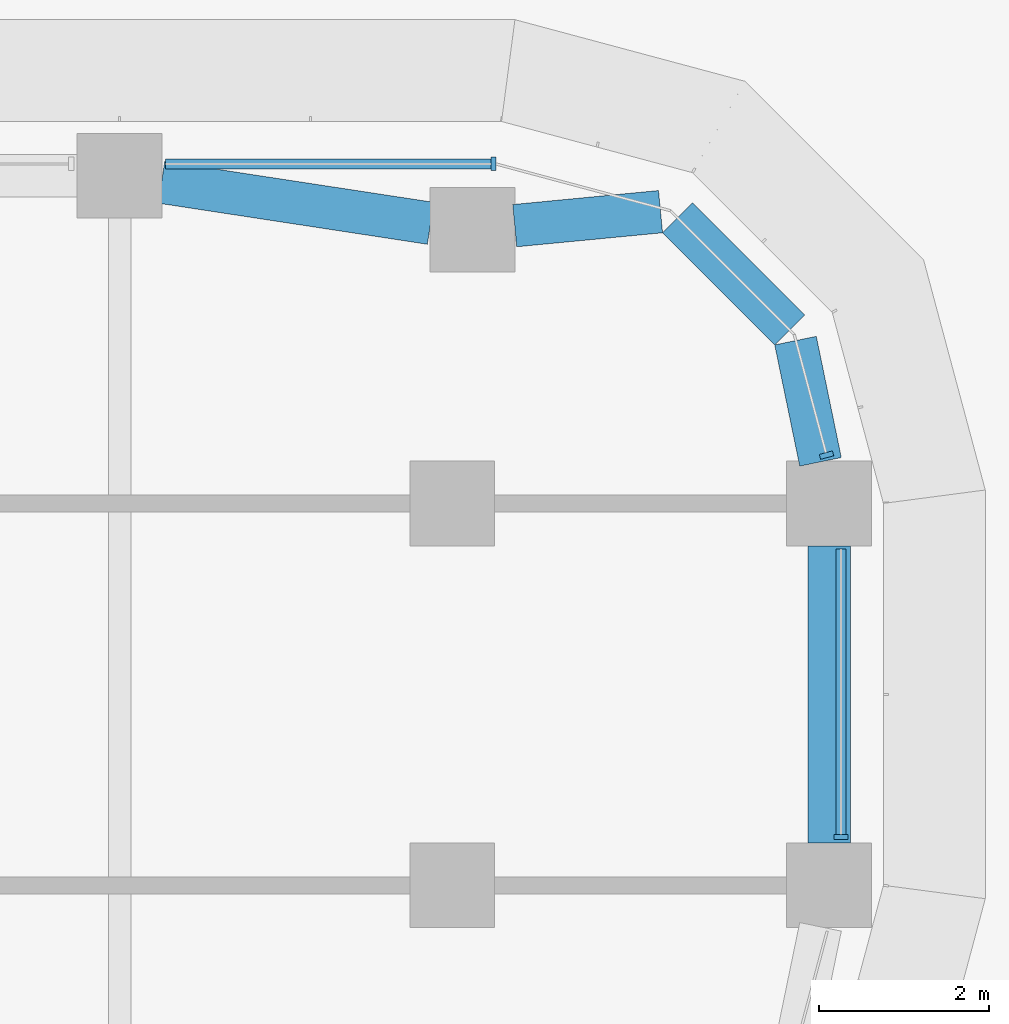
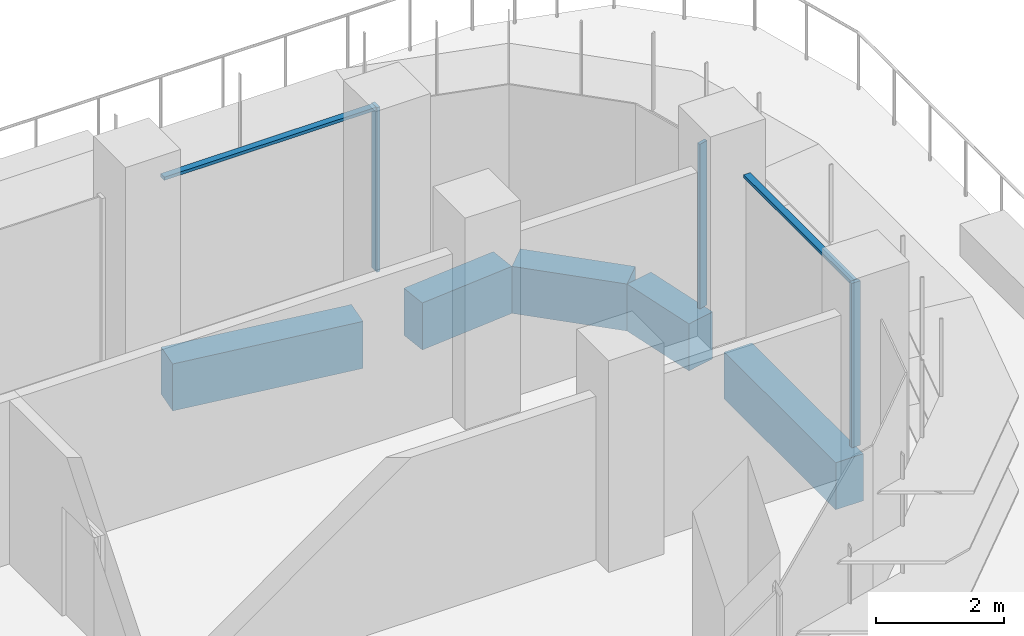
# One storey, part 11 of 26: 5 beams, 5 members, 3 elements without a shape of their own.
"""IFC4 building model written with IfcOpenShell, lengths in metres."""

from ifc_helpers import new_model, si_unit, direction, frame, origin, origin_2d, place, context, subcontext, project, spatial, polyline, rectangle, outline, extrude, source, transform, mapped, material, material_profile, profile_set, type_object, element, aggregate, save


model = new_model("IFC4")

# Units and contexts
model_context = context("Model", 3, precision=1e-05, world=origin(), true_north=direction((0.0, 1.0)))
body_context = subcontext(model_context, "Body", "Model", "MODEL_VIEW")
ifc_project = project(units=[si_unit("LENGTHUNIT", "METRE"), si_unit("AREAUNIT", "SQUARE_METRE"), si_unit("VOLUMEUNIT", "CUBIC_METRE"), si_unit("PLANEANGLEUNIT", "RADIAN"), si_unit("MASSUNIT", "GRAM", prefix="KILO")], contexts=[model_context])

# Site, building, storey
site_placement = place(None, origin())
site = spatial("IfcSite", under=ifc_project, at=site_placement, CompositionType="ELEMENT")
building_placement = place(site_placement, origin())
building = spatial("IfcBuilding", under=site, at=building_placement, Name="Zarbagh Exchange Tower", CompositionType="ELEMENT")
storey_placement = place(building_placement, frame((0.0, 0.0, 27.0)))
storey = spatial("IfcBuildingStorey", under=building, at=storey_placement, Name="L05", CompositionType="ELEMENT", Elevation=27.0)

# Beams
ifc_material_1 = material(Name="Concrete C60/75", Category="concrete")
ifc_material_profile = material_profile(ifc_material_1, rectangle(XDim=0.5, YDim=0.89990234375, at=origin_2d()), Name="RC spandrel beam 500 x 900 C60/75")
ifc_profile_set = profile_set([ifc_material_profile], Name="Concrete C60/75")
beam_type = type_object("IfcBeamType", Name="RC spandrel beam 500 x 900 C60/75", PredefinedType="SPANDREL", material=ifc_profile_set)
beam_1_placement = place(storey_placement, frame((25.244384765625, 6.034423828125, -0.60009765625), z_axis=(0.988545350976, -0.150924116903, 0.0), x_axis=(0.150924116903, 0.988545350976, 0.0)))
element("IfcBeam", 1, at=beam_1_placement, inside=storey, type_object=beam_type, Name="RC spandrel beam", PredefinedType="SPANDREL", context=body_context, shape_type="SweptSolid", body=[
    extrude(rectangle(XDim=0.5, YDim=0.89990234375, at=origin_2d()), origin(), (0.0, 0.0, 1.0), 3.2060546875),
])
beam_2_placement = place(storey_placement, frame((29.40576171875, 5.522705078125, -0.60009765625), z_axis=(0.995431032456, 0.095483294999, 0.0), x_axis=(-0.095483294999, 0.995431032456, 0.0)))
element("IfcBeam", 2, at=beam_2_placement, inside=storey, type_object=beam_type, Name="RC spandrel beam", PredefinedType="SPANDREL", context=body_context, shape_type="SweptSolid", body=[
    extrude(rectangle(XDim=0.5, YDim=0.89990234375, at=origin_2d()), origin(), (0.0, 0.0, 1.0), 1.725830078125),
])
beam_3_placement = place(storey_placement, frame((31.324462890625, 5.615478515625, -0.60009765625), z_axis=(0.707172099812, -0.707041456527, 0.0), x_axis=(0.707041456527, 0.707172099812, 0.0)))
element("IfcBeam", 3, at=beam_3_placement, inside=storey, type_object=beam_type, Name="RC spandrel beam", PredefinedType="SPANDREL", context=body_context, shape_type="SweptSolid", body=[
    extrude(rectangle(XDim=0.5, YDim=0.89990234375, at=origin_2d()), origin(), (0.0, 0.0, 1.0), 1.86865234375),
])
beam_4_placement = place(storey_placement, frame((32.714111328125, 4.16796875, -0.60009765625), z_axis=(0.202068589164, -0.9793713725, 0.0), x_axis=(0.9793713725, 0.202068589164, 0.0)))
element("IfcBeam", 4, at=beam_4_placement, inside=storey, type_object=beam_type, Name="RC spandrel beam", PredefinedType="SPANDREL", context=body_context, shape_type="SweptSolid", body=[
    extrude(rectangle(XDim=0.5, YDim=0.89990234375, at=origin_2d()), origin(), (0.0, 0.0, 1.0), 1.458251953125),
])
beam_5_placement = place(storey_placement, frame((33.110107421875, 1.75, -0.60009765625), z_axis=(0.0, -1.0, 0.0), x_axis=(1.0, 0.0, 0.0)))
element("IfcBeam", 5, at=beam_5_placement, inside=storey, type_object=beam_type, Name="RC spandrel beam", PredefinedType="SPANDREL", context=body_context, shape_type="SweptSolid", body=[
    extrude(rectangle(XDim=0.5, YDim=0.89990234375, at=origin_2d()), origin(), (0.0, 0.0, 1.0), 3.5),
])

# Curtain wall, member
ifc_material_2 = material(Name="Anodised aluminium frame and glazing", Category="aluminium")
curtain_wall_type = type_object("IfcCurtainWallType", Name="CWA Ribbon glazing, lower zones", PredefinedType="NOTDEFINED", material=ifc_material_2)
curtain_wall_1_placement = place(storey_placement, origin())
curtain_wall_1 = element("IfcCurtainWall", 6, at=curtain_wall_1_placement, inside=storey, type_object=curtain_wall_type, Name="CWA12 curtain wall", PredefinedType="NOTDEFINED")
ifc_material_3 = material(Name="Anodised aluminium frame", Category="aluminium")
member_type_1 = type_object("IfcMemberType", Name="MUA Mullion, anodised aluminium frame", PredefinedType="MULLION", material=ifc_material_3)
shared_shape_1 = source(origin(), body_context, "Body", "SweptSolid", [
    extrude(outline(polyline([(0.0, -0.080078125), (0.06005859375, -0.080078125), (0.06005859375, 0.080078125), (0.0, 0.080078125), (0.0, -0.080078125)])), origin(), (0.0, 0.0, 1.0), 3.14990234375),
])
placement = place(storey_placement, origin())
member_1 = element("IfcMember", 7, at=placement, type_object=member_type_1, Name="CWA12 mullion 1.1", PredefinedType="MULLION", context=body_context, shape_type="MappedRepresentation", body=[
    mapped(shared_shape_1, transform((33.25, -1.7099609375, 0.0), x_axis=(0.0, 1.0, 0.0), y_axis=(-1.0, 0.0, 0.0), z_axis=(0.0, 0.0, 1.0))),
])

curtain_wall_2_placement = place(storey_placement, origin())
curtain_wall_2 = element("IfcCurtainWall", 8, at=curtain_wall_2_placement, inside=storey, type_object=curtain_wall_type, Name="CWA13 curtain wall", PredefinedType="NOTDEFINED")
member_2 = element("IfcMember", 9, at=placement, type_object=member_type_1, Name="CWA13 mullion 1.1", PredefinedType="MULLION", context=body_context, shape_type="MappedRepresentation", body=[
    mapped(shared_shape_1, transform((33.087646484375, 2.7900390625, 0.0), x_axis=(-0.258824779902, 0.965924289636, 0.0), y_axis=(-0.965924289636, -0.258824779902, 0.0), z_axis=(0.0, 0.0, 1.0))),
])
aggregate(curtain_wall_2, [member_2])

curtain_wall_3_placement = place(storey_placement, origin())
curtain_wall_3 = element("IfcCurtainWall", 10, at=curtain_wall_3_placement, inside=storey, type_object=curtain_wall_type, Name="CWA16 curtain wall", PredefinedType="NOTDEFINED")
member_3 = element("IfcMember", 11, at=placement, type_object=member_type_1, Name="CWA16 mullion 1.1", PredefinedType="MULLION", context=body_context, shape_type="MappedRepresentation", body=[
    mapped(shared_shape_1, transform((29.18408203125, 6.25, 0.0), x_axis=(-1.0, 0.0, 0.0), y_axis=(0.0, -1.0, 0.0), z_axis=(0.0, 0.0, 1.0))),
])

# Member
member_type_2 = type_object("IfcMemberType", Name="TRA Transom, anodised aluminium frame", PredefinedType="USERDEFINED", material=ifc_material_3)
shared_shape_2 = source(origin(), body_context, "Body", "SweptSolid", [
    extrude(outline(polyline([(-0.06005859375, -0.06005859375), (0.0, -0.06005859375), (0.0, 0.06005859375), (-0.06005859375, 0.06005859375), (-0.06005859375, -0.06005859375)])), origin(), (0.0, 0.0, 1.0), 3.360107421875),
])
member_4 = element("IfcMember", 12, at=placement, type_object=member_type_2, Name="CWA12 transom 1.1", ObjectType="TRANSOM", PredefinedType="USERDEFINED", context=body_context, shape_type="MappedRepresentation", body=[
    mapped(shared_shape_2, transform((33.25, -1.64990234375, 3.14990234375), x_axis=(0.0, 0.0, 1.0), y_axis=(1.0, 0.0, 0.0), z_axis=(0.0, 1.0, 0.0))),
])

aggregate(curtain_wall_1, [member_1, member_4])

shared_shape_3 = source(origin(), body_context, "Body", "SweptSolid", [
    extrude(outline(polyline([(-0.06005859375, -0.06005859375), (0.0, -0.06005859375), (0.0, 0.06005859375), (-0.06005859375, 0.06005859375), (-0.06005859375, -0.06005859375)])), origin(), (0.0, 0.0, 1.0), 3.834228515625),
])
member_5 = element("IfcMember", 13, at=placement, type_object=member_type_2, Name="CWA16 transom 1.1", ObjectType="TRANSOM", PredefinedType="USERDEFINED", context=body_context, shape_type="MappedRepresentation", body=[
    mapped(shared_shape_3, transform((29.124267578125, 6.25, 3.14990234375), x_axis=(0.0, 0.0, 1.0), y_axis=(0.0, 1.0, 0.0), z_axis=(-1.0, 0.0, 0.0))),
])

aggregate(curtain_wall_3, [member_3, member_5])

save(model, "model.ifc")
